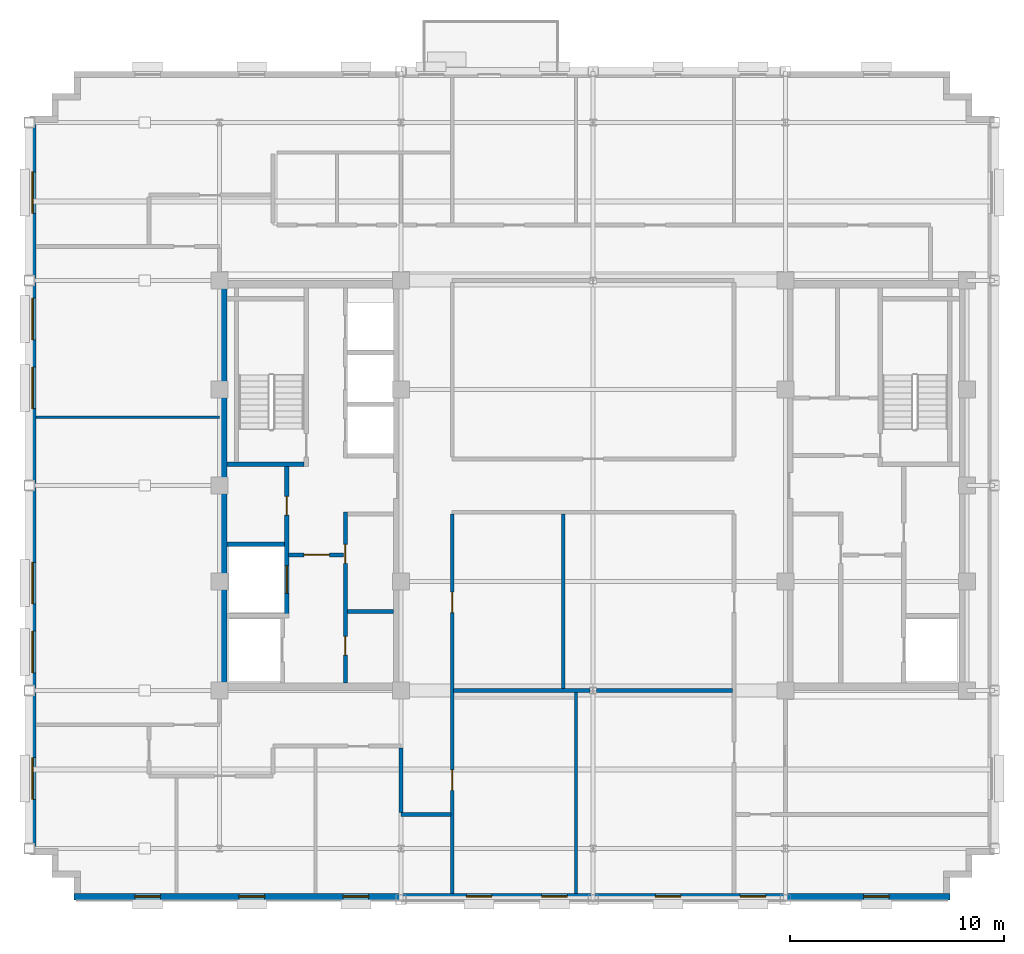
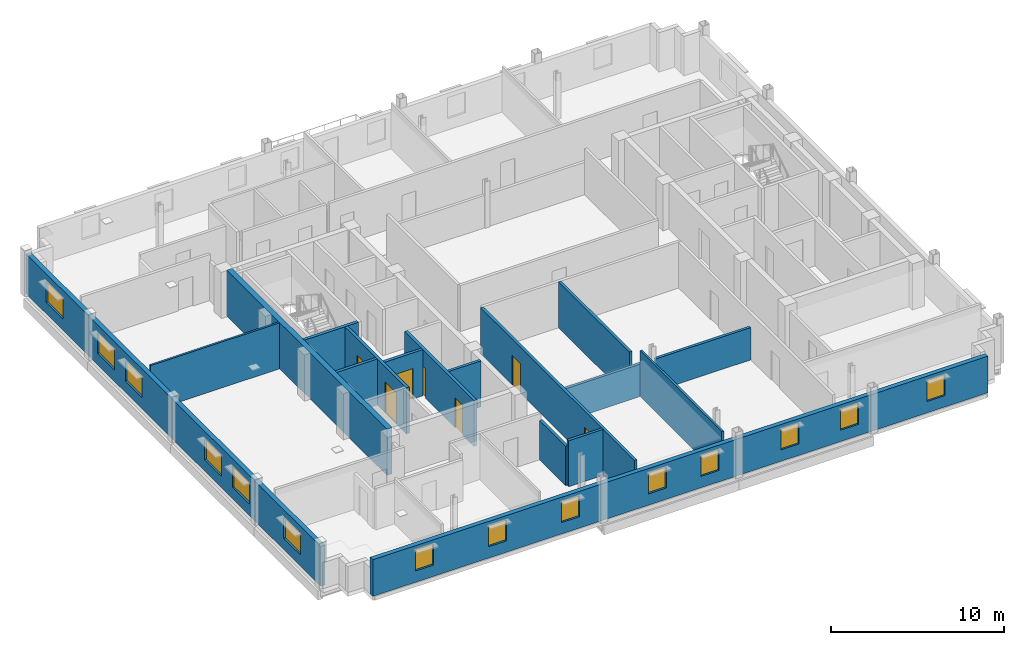
# One storey, part 6 of 14: 17 walls, 14 windows, 7 doors, 21 openings.
"""IFC4 building model written with IfcOpenShell, lengths in metres."""

from ifc_helpers import new_model, si_unit, direction, frame, frame_2d, origin, place, context, subcontext, project, spatial, rectangle, extrude, source, transform, mapped, material, layer, layer_set, type_object, type_shapes, element, fill, save


model = new_model("IFC4")

# Units and contexts
model_context = context("Model", 3, precision=1e-05, world=origin(), true_north=direction((0.0, 1.0)))
body_context = subcontext(model_context, "Body", "Model", "MODEL_VIEW")
ifc_project = project(units=[si_unit("LENGTHUNIT", "METRE"), si_unit("AREAUNIT", "SQUARE_METRE"), si_unit("VOLUMEUNIT", "CUBIC_METRE"), si_unit("PLANEANGLEUNIT", "RADIAN"), si_unit("MASSUNIT", "GRAM", prefix="KILO")], contexts=[model_context])

# Site, building, storey
site_placement = place(None, origin())
site = spatial("IfcSite", under=ifc_project, at=site_placement, CompositionType="ELEMENT")
building_placement = place(site_placement, origin())
building = spatial("IfcBuilding", under=site, at=building_placement, Name="Nuvemarco Arch Tower", CompositionType="ELEMENT")
storey_placement = place(building_placement, frame((0.0, 0.0, 242.0)))
storey = spatial("IfcBuildingStorey", under=building, at=storey_placement, Name="L64", CompositionType="ELEMENT", Elevation=242.0)

# Wall, openings, windows
ifc_material_1 = material(Name="Precast concrete C45/55", Category="concrete")
ifc_layer_1 = layer(ifc_material_1, 0.300048828125, Name="EW-HIGH-300")
ifc_layer_set_1 = layer_set([ifc_layer_1], Name="Precast concrete C45/55")
wall_type_1 = type_object("IfcWallType", Name="EW-HIGH-300", PredefinedType="STANDARD", material=ifc_layer_set_1)
wall_1_placement = place(storey_placement, frame((-24.300048828125, -19.25, 0.0), z_axis=(0.0, 0.0, 1.0), x_axis=(1.0, 0.0, 0.0)))
wall_1 = element("IfcWall", 1, at=wall_1_placement, inside=storey, type_object=wall_type_1, Name="L64 exterior precast facade wall 1", PredefinedType="STANDARD", context=body_context, shape_type="SweptSolid", body=[
    extrude(rectangle(XDim=41.0, YDim=0.300048828125, at=frame_2d((20.5, 0.0))), origin(), (0.0, 0.0, 1.0), 2.5849609375),
])
opening_1_placement = place(wall_1_placement, frame((2.83740234375, 0.0, 0.800048828125)))
opening_1 = element("IfcOpeningElement", 2, at=opening_1_placement, cuts=wall_1, Name="Opening WN-8", PredefinedType="OPENING", context=body_context, shape_type="SweptSolid", body=[
    extrude(rectangle(XDim=1.199951171875, YDim=1.47998046875, at=frame_2d((0.60009765625, 0.739990234375))), frame((0.0, 0.159912109375, 0.0), z_axis=(0.0, -1.0, 0.0), x_axis=(1.0, 0.0, 0.0)), (0.0, 0.0, 1.0), 0.320068359375),
])
opening_2_placement = place(wall_1_placement, frame((7.71240234375, 0.0, 0.800048828125)))
opening_2 = element("IfcOpeningElement", 3, at=opening_2_placement, cuts=wall_1, Name="Opening WN-8", PredefinedType="OPENING", context=body_context, shape_type="SweptSolid", body=[
    extrude(rectangle(XDim=1.199951171875, YDim=1.47998046875, at=frame_2d((0.60009765625, 0.739990234375))), frame((0.0, 0.159912109375, 0.0), z_axis=(0.0, -1.0, 0.0), x_axis=(1.0, 0.0, 0.0)), (0.0, 0.0, 1.0), 0.320068359375),
])
opening_3_placement = place(wall_1_placement, frame((12.58740234375, 0.0, 0.800048828125)))
opening_3 = element("IfcOpeningElement", 4, at=opening_3_placement, cuts=wall_1, Name="Opening WN-8", PredefinedType="OPENING", context=body_context, shape_type="SweptSolid", body=[
    extrude(rectangle(XDim=1.199951171875, YDim=1.47998046875, at=frame_2d((0.60009765625, 0.739990234375))), frame((0.0, 0.159912109375, 0.0), z_axis=(0.0, -1.0, 0.0), x_axis=(1.0, 0.0, 0.0)), (0.0, 0.0, 1.0), 0.320068359375),
])
opening_4_placement = place(wall_1_placement, frame((18.362548828125, 0.0, 0.800048828125)))
opening_4 = element("IfcOpeningElement", 5, at=opening_4_placement, cuts=wall_1, Name="Opening WN-8", PredefinedType="OPENING", context=body_context, shape_type="SweptSolid", body=[
    extrude(rectangle(XDim=1.199951171875, YDim=1.47998046875, at=frame_2d((0.60009765625, 0.739990234375))), frame((0.0, 0.159912109375, 0.0), z_axis=(0.0, -1.0, 0.0), x_axis=(1.0, 0.0, 0.0)), (0.0, 0.0, 1.0), 0.320068359375),
])
opening_5_placement = place(wall_1_placement, frame((21.887451171875, 0.0, 0.800048828125)))
opening_5 = element("IfcOpeningElement", 6, at=opening_5_placement, cuts=wall_1, Name="Opening WN-8", PredefinedType="OPENING", context=body_context, shape_type="SweptSolid", body=[
    extrude(rectangle(XDim=1.199951171875, YDim=1.47998046875, at=frame_2d((0.60009765625, 0.739990234375))), frame((0.0, 0.159912109375, 0.0), z_axis=(0.0, -1.0, 0.0), x_axis=(1.0, 0.0, 0.0)), (0.0, 0.0, 1.0), 0.320068359375),
])
opening_6_placement = place(wall_1_placement, frame((27.21240234375, 0.0, 0.800048828125)))
opening_6 = element("IfcOpeningElement", 7, at=opening_6_placement, cuts=wall_1, Name="Opening WN-8", PredefinedType="OPENING", context=body_context, shape_type="SweptSolid", body=[
    extrude(rectangle(XDim=1.199951171875, YDim=1.47998046875, at=frame_2d((0.60009765625, 0.739990234375))), frame((0.0, 0.159912109375, 0.0), z_axis=(0.0, -1.0, 0.0), x_axis=(1.0, 0.0, 0.0)), (0.0, 0.0, 1.0), 0.320068359375),
])
opening_7_placement = place(wall_1_placement, frame((31.1875, 0.0, 0.800048828125)))
opening_7 = element("IfcOpeningElement", 8, at=opening_7_placement, cuts=wall_1, Name="Opening WN-8", PredefinedType="OPENING", context=body_context, shape_type="SweptSolid", body=[
    extrude(rectangle(XDim=1.199951171875, YDim=1.47998046875, at=frame_2d((0.60009765625, 0.739990234375))), frame((0.0, 0.159912109375, 0.0), z_axis=(0.0, -1.0, 0.0), x_axis=(1.0, 0.0, 0.0)), (0.0, 0.0, 1.0), 0.320068359375),
])
opening_8_placement = place(wall_1_placement, frame((36.96240234375, 0.0, 0.800048828125)))
opening_8 = element("IfcOpeningElement", 9, at=opening_8_placement, cuts=wall_1, Name="Opening WN-8", PredefinedType="OPENING", context=body_context, shape_type="SweptSolid", body=[
    extrude(rectangle(XDim=1.199951171875, YDim=1.47998046875, at=frame_2d((0.60009765625, 0.739990234375))), frame((0.0, 0.159912109375, 0.0), z_axis=(0.0, -1.0, 0.0), x_axis=(1.0, 0.0, 0.0)), (0.0, 0.0, 1.0), 0.320068359375),
])
ifc_material_2 = material(Name="Insulated solar-control glass", Category="glass")
window_type_1 = type_object("IfcWindowType", Name="WN-HIGH-1200x1480", PartitioningType="SINGLE_PANEL", PredefinedType="WINDOW", material=ifc_material_2)
shared_shape_1 = source(origin(), body_context, "Body", "SweptSolid", [
    extrude(rectangle(XDim=1.199951171875, YDim=1.47998046875, at=frame_2d((0.60009765625, 0.739990234375))), frame((0.0, 0.030029296875, 0.0), z_axis=(0.0, -1.0, 0.0), x_axis=(1.0, 0.0, 0.0)), (0.0, 0.0, 1.0), 0.06005859375),
])
type_shapes(window_type_1, [shared_shape_1])
window_1_placement = place(opening_1_placement, origin())
window_1 = element("IfcWindow", 10, at=window_1_placement, inside=storey, type_object=window_type_1, Name="L64 punched facade window 1", OverallHeight=1.47998046875, OverallWidth=1.199951171875, PartitioningType="SINGLE_PANEL", PredefinedType="WINDOW", context=body_context, shape_type="MappedRepresentation", body=[
    mapped(shared_shape_1, transform((0.0, 0.0, 0.0), scale=1.0)),
])
fill(opening_1, window_1)
window_2_placement = place(opening_2_placement, origin())
window_2 = element("IfcWindow", 11, at=window_2_placement, inside=storey, type_object=window_type_1, Name="L64 punched facade window 2", OverallHeight=1.47998046875, OverallWidth=1.199951171875, PartitioningType="SINGLE_PANEL", PredefinedType="WINDOW", context=body_context, shape_type="MappedRepresentation", body=[
    mapped(shared_shape_1, transform((0.0, 0.0, 0.0), scale=1.0)),
])
fill(opening_2, window_2)
window_3_placement = place(opening_3_placement, origin())
window_3 = element("IfcWindow", 12, at=window_3_placement, inside=storey, type_object=window_type_1, Name="L64 punched facade window 3", OverallHeight=1.47998046875, OverallWidth=1.199951171875, PartitioningType="SINGLE_PANEL", PredefinedType="WINDOW", context=body_context, shape_type="MappedRepresentation", body=[
    mapped(shared_shape_1, transform((0.0, 0.0, 0.0), scale=1.0)),
])
fill(opening_3, window_3)
window_4_placement = place(opening_4_placement, origin())
window_4 = element("IfcWindow", 13, at=window_4_placement, inside=storey, type_object=window_type_1, Name="L64 punched facade window 4", OverallHeight=1.47998046875, OverallWidth=1.199951171875, PartitioningType="SINGLE_PANEL", PredefinedType="WINDOW", context=body_context, shape_type="MappedRepresentation", body=[
    mapped(shared_shape_1, transform((0.0, 0.0, 0.0), scale=1.0)),
])
fill(opening_4, window_4)
window_5_placement = place(opening_5_placement, origin())
window_5 = element("IfcWindow", 14, at=window_5_placement, inside=storey, type_object=window_type_1, Name="L64 punched facade window 5", OverallHeight=1.47998046875, OverallWidth=1.199951171875, PartitioningType="SINGLE_PANEL", PredefinedType="WINDOW", context=body_context, shape_type="MappedRepresentation", body=[
    mapped(shared_shape_1, transform((0.0, 0.0, 0.0), scale=1.0)),
])
fill(opening_5, window_5)
window_6_placement = place(opening_6_placement, origin())
window_6 = element("IfcWindow", 15, at=window_6_placement, inside=storey, type_object=window_type_1, Name="L64 punched facade window 6", OverallHeight=1.47998046875, OverallWidth=1.199951171875, PartitioningType="SINGLE_PANEL", PredefinedType="WINDOW", context=body_context, shape_type="MappedRepresentation", body=[
    mapped(shared_shape_1, transform((0.0, 0.0, 0.0), scale=1.0)),
])
fill(opening_6, window_6)
window_7_placement = place(opening_7_placement, origin())
window_7 = element("IfcWindow", 16, at=window_7_placement, inside=storey, type_object=window_type_1, Name="L64 punched facade window 7", OverallHeight=1.47998046875, OverallWidth=1.199951171875, PartitioningType="SINGLE_PANEL", PredefinedType="WINDOW", context=body_context, shape_type="MappedRepresentation", body=[
    mapped(shared_shape_1, transform((0.0, 0.0, 0.0), scale=1.0)),
])
fill(opening_7, window_7)
window_8_placement = place(opening_8_placement, origin())
window_8 = element("IfcWindow", 17, at=window_8_placement, inside=storey, type_object=window_type_1, Name="L64 punched facade window 8", OverallHeight=1.47998046875, OverallWidth=1.199951171875, PartitioningType="SINGLE_PANEL", PredefinedType="WINDOW", context=body_context, shape_type="MappedRepresentation", body=[
    mapped(shared_shape_1, transform((0.0, 0.0, 0.0), scale=1.0)),
])
fill(opening_8, window_8)

wall_2_placement = place(storey_placement, frame((-26.25, -17.00390625, 0.0), z_axis=(0.0, 0.0, 1.0), x_axis=(0.0, 1.0, 0.0)))
wall_2 = element("IfcWall", 18, at=wall_2_placement, inside=storey, type_object=wall_type_1, Name="L64 exterior precast facade wall 16", PredefinedType="STANDARD", context=body_context, shape_type="SweptSolid", body=[
    extrude(rectangle(XDim=34.0078125, YDim=0.300048828125, at=frame_2d((17.00390625, 0.0))), origin(), (0.0, 0.0, 1.0), 2.81201171875),
])
opening_9_placement = place(wall_2_placement, frame((2.311279296875, 0.0, 0.800048828125)))
opening_9 = element("IfcOpeningElement", 19, at=opening_9_placement, cuts=wall_2, Name="Opening WN-7", PredefinedType="OPENING", context=body_context, shape_type="SweptSolid", body=[
    extrude(rectangle(XDim=1.949951171875, YDim=1.47998046875, at=frame_2d((0.97509765625, 0.739990234375))), frame((0.0, 0.159912109375, 0.0), z_axis=(0.0, -1.0, 0.0), x_axis=(1.0, 0.0, 0.0)), (0.0, 0.0, 1.0), 0.320068359375),
])
opening_10_placement = place(wall_2_placement, frame((8.23388671875, 0.0, 0.800048828125)))
opening_10 = element("IfcOpeningElement", 20, at=opening_10_placement, cuts=wall_2, Name="Opening WN-7", PredefinedType="OPENING", context=body_context, shape_type="SweptSolid", body=[
    extrude(rectangle(XDim=1.949951171875, YDim=1.47998046875, at=frame_2d((0.97509765625, 0.739990234375))), frame((0.0, 0.159912109375, 0.0), z_axis=(0.0, -1.0, 0.0), x_axis=(1.0, 0.0, 0.0)), (0.0, 0.0, 1.0), 0.320068359375),
])
opening_11_placement = place(wall_2_placement, frame((11.456298828125, 0.0, 0.800048828125)))
opening_11 = element("IfcOpeningElement", 21, at=opening_11_placement, cuts=wall_2, Name="Opening WN-7", PredefinedType="OPENING", context=body_context, shape_type="SweptSolid", body=[
    extrude(rectangle(XDim=1.949951171875, YDim=1.47998046875, at=frame_2d((0.97509765625, 0.739990234375))), frame((0.0, 0.159912109375, 0.0), z_axis=(0.0, -1.0, 0.0), x_axis=(1.0, 0.0, 0.0)), (0.0, 0.0, 1.0), 0.320068359375),
])
opening_12_placement = place(wall_2_placement, frame((20.6015625, 0.0, 0.800048828125)))
opening_12 = element("IfcOpeningElement", 22, at=opening_12_placement, cuts=wall_2, Name="Opening WN-7", PredefinedType="OPENING", context=body_context, shape_type="SweptSolid", body=[
    extrude(rectangle(XDim=1.949951171875, YDim=1.47998046875, at=frame_2d((0.97509765625, 0.739990234375))), frame((0.0, 0.159912109375, 0.0), z_axis=(0.0, -1.0, 0.0), x_axis=(1.0, 0.0, 0.0)), (0.0, 0.0, 1.0), 0.320068359375),
])
opening_13_placement = place(wall_2_placement, frame((23.82421875, 0.0, 0.800048828125)))
opening_13 = element("IfcOpeningElement", 23, at=opening_13_placement, cuts=wall_2, Name="Opening WN-7", PredefinedType="OPENING", context=body_context, shape_type="SweptSolid", body=[
    extrude(rectangle(XDim=1.949951171875, YDim=1.47998046875, at=frame_2d((0.97509765625, 0.739990234375))), frame((0.0, 0.159912109375, 0.0), z_axis=(0.0, -1.0, 0.0), x_axis=(1.0, 0.0, 0.0)), (0.0, 0.0, 1.0), 0.320068359375),
])
opening_14_placement = place(wall_2_placement, frame((29.74658203125, 0.0, 0.800048828125)))
opening_14 = element("IfcOpeningElement", 24, at=opening_14_placement, cuts=wall_2, Name="Opening WN-7", PredefinedType="OPENING", context=body_context, shape_type="SweptSolid", body=[
    extrude(rectangle(XDim=1.949951171875, YDim=1.47998046875, at=frame_2d((0.97509765625, 0.739990234375))), frame((0.0, 0.159912109375, 0.0), z_axis=(0.0, -1.0, 0.0), x_axis=(1.0, 0.0, 0.0)), (0.0, 0.0, 1.0), 0.320068359375),
])
window_type_2 = type_object("IfcWindowType", Name="WN-HIGH-1950x1480", PartitioningType="DOUBLE_PANEL_VERTICAL", PredefinedType="WINDOW", material=ifc_material_2)
shared_shape_2 = source(origin(), body_context, "Body", "SweptSolid", [
    extrude(rectangle(XDim=1.949951171875, YDim=1.47998046875, at=frame_2d((0.97509765625, 0.739990234375))), frame((0.0, 0.030029296875, 0.0), z_axis=(0.0, -1.0, 0.0), x_axis=(1.0, 0.0, 0.0)), (0.0, 0.0, 1.0), 0.06005859375),
])
type_shapes(window_type_2, [shared_shape_2])
window_9_placement = place(opening_9_placement, origin())
window_9 = element("IfcWindow", 25, at=window_9_placement, inside=storey, type_object=window_type_2, Name="L64 punched facade window 1", OverallHeight=1.47998046875, OverallWidth=1.949951171875, PartitioningType="SINGLE_PANEL", PredefinedType="WINDOW", context=body_context, shape_type="MappedRepresentation", body=[
    mapped(shared_shape_2, transform((0.0, 0.0, 0.0), scale=1.0)),
])
fill(opening_9, window_9)
window_10_placement = place(opening_10_placement, origin())
window_10 = element("IfcWindow", 26, at=window_10_placement, inside=storey, type_object=window_type_2, Name="L64 punched facade window 2", OverallHeight=1.47998046875, OverallWidth=1.949951171875, PartitioningType="SINGLE_PANEL", PredefinedType="WINDOW", context=body_context, shape_type="MappedRepresentation", body=[
    mapped(shared_shape_2, transform((0.0, 0.0, 0.0), scale=1.0)),
])
fill(opening_10, window_10)
window_11_placement = place(opening_11_placement, origin())
window_11 = element("IfcWindow", 27, at=window_11_placement, inside=storey, type_object=window_type_2, Name="L64 punched facade window 3", OverallHeight=1.47998046875, OverallWidth=1.949951171875, PartitioningType="SINGLE_PANEL", PredefinedType="WINDOW", context=body_context, shape_type="MappedRepresentation", body=[
    mapped(shared_shape_2, transform((0.0, 0.0, 0.0), scale=1.0)),
])
fill(opening_11, window_11)
window_12_placement = place(opening_12_placement, origin())
window_12 = element("IfcWindow", 28, at=window_12_placement, inside=storey, type_object=window_type_2, Name="L64 punched facade window 5", OverallHeight=1.47998046875, OverallWidth=1.949951171875, PartitioningType="SINGLE_PANEL", PredefinedType="WINDOW", context=body_context, shape_type="MappedRepresentation", body=[
    mapped(shared_shape_2, transform((0.0, 0.0, 0.0), scale=1.0)),
])
fill(opening_12, window_12)
window_13_placement = place(opening_13_placement, origin())
window_13 = element("IfcWindow", 29, at=window_13_placement, inside=storey, type_object=window_type_2, Name="L64 punched facade window 6", OverallHeight=1.47998046875, OverallWidth=1.949951171875, PartitioningType="SINGLE_PANEL", PredefinedType="WINDOW", context=body_context, shape_type="MappedRepresentation", body=[
    mapped(shared_shape_2, transform((0.0, 0.0, 0.0), scale=1.0)),
])
fill(opening_13, window_13)
window_14_placement = place(opening_14_placement, origin())
window_14 = element("IfcWindow", 30, at=window_14_placement, inside=storey, type_object=window_type_2, Name="L64 punched facade window 7", OverallHeight=1.47998046875, OverallWidth=1.949951171875, PartitioningType="SINGLE_PANEL", PredefinedType="WINDOW", context=body_context, shape_type="MappedRepresentation", body=[
    mapped(shared_shape_2, transform((0.0, 0.0, 0.0), scale=1.0)),
])
fill(opening_14, window_14)

# Walls
ifc_material_3 = material(Name="Concrete C50/60", Category="concrete")
ifc_layer_2 = layer(ifc_material_3, 0.35009765625, Name="WL-CORE-350")
ifc_layer_set_2 = layer_set([ifc_layer_2], Name="Concrete C50/60")
wall_type_2 = type_object("IfcWallType", Name="WL-CORE-350", PredefinedType="SHEAR", material=ifc_layer_set_2)
wall_3_placement = place(storey_placement, frame((-17.324951171875, -9.2548828125, 0.0), z_axis=(0.0, 0.0, 1.0), x_axis=(0.0, 1.0, 0.0)))
element("IfcWall", 31, at=wall_3_placement, inside=storey, type_object=wall_type_2, Name="L64 W-core shear wall W", PredefinedType="SHEAR", context=body_context, shape_type="SweptSolid", body=[
    extrude(rectangle(XDim=18.509765625, YDim=0.35009765625, at=frame_2d((9.2548828125, 0.0))), origin(), (0.0, 0.0, 1.0), 3.25),
])
ifc_material_4 = material(Name="Fire-rated gypsum drywall partition")
ifc_layer_3 = layer(ifc_material_4, 0.179931640625, Name="WL-CORR-180")
ifc_layer_set_3 = layer_set([ifc_layer_3], Name="Fire-rated gypsum drywall partition")
wall_type_3 = type_object("IfcWallType", Name="WL-CORR-180", PredefinedType="PARTITIONING", material=ifc_layer_set_3)
wall_4_placement = place(storey_placement, frame((-11.5048828125, -5.89990234375, 0.0), z_axis=(0.0, 0.0, 1.0), x_axis=(1.0, 0.0, 0.0)))
element("IfcWall", 32, at=wall_4_placement, inside=storey, type_object=wall_type_3, Name="L64 interior wall IW-L64-W-RECK3", PredefinedType="PARTITIONING", context=body_context, shape_type="SweptSolid", body=[
    extrude(rectangle(XDim=2.159912109375, YDim=0.179931640625, at=frame_2d((1.080078125, 0.0))), origin(), (0.0, 0.0, 1.0), 3.239990234375),
])
wall_5_placement = place(storey_placement, frame((-9.0, -15.39990234375, 0.0), z_axis=(0.0, 0.0, 1.0), x_axis=(1.0, 0.0, 0.0)))
element("IfcWall", 33, at=wall_5_placement, inside=storey, type_object=wall_type_3, Name="L64 interior wall IW-L64-001", PredefinedType="PARTITIONING", context=body_context, shape_type="SweptSolid", body=[
    extrude(rectangle(XDim=2.339111328125, YDim=0.179931640625, at=frame_2d((1.16943359375, 0.0))), origin(), (0.0, 0.0, 1.0), 3.239990234375),
])
wall_6_placement = place(storey_placement, frame((-6.5390625, -9.60009765625, 0.0), z_axis=(0.0, 0.0, 1.0), x_axis=(1.0, 0.0, 0.0)))
element("IfcWall", 34, at=wall_6_placement, inside=storey, type_object=wall_type_3, Name="L64 interior wall IW-L64-006", PredefinedType="PARTITIONING", context=body_context, shape_type="SweptSolid", body=[
    extrude(rectangle(XDim=6.38818359375, YDim=0.179931640625, at=frame_2d((3.194091796875, 0.0))), origin(), (0.0, 0.0, 1.0), 2.284912109375),
])
wall_7_placement = place(storey_placement, frame((0.15087890625, -9.60009765625, 0.0), z_axis=(0.0, 0.0, 1.0), x_axis=(1.0, 0.0, 0.0)))
element("IfcWall", 35, at=wall_7_placement, inside=storey, type_object=wall_type_3, Name="L64 interior wall IW-L64-007", PredefinedType="PARTITIONING", context=body_context, shape_type="SweptSolid", body=[
    extrude(rectangle(XDim=6.383056640625, YDim=0.179931640625, at=frame_2d((3.19140625, 0.0))), origin(), (0.0, 0.0, 1.0), 2.284912109375),
])
wall_8_placement = place(storey_placement, frame((-9.0, -15.31396484375, 0.0), z_axis=(0.0, 0.0, 1.0), x_axis=(0.0, 1.0, 0.0)))
element("IfcWall", 36, at=wall_8_placement, inside=storey, type_object=wall_type_3, Name="L64 interior wall IW-L64-027", PredefinedType="PARTITIONING", context=body_context, shape_type="SweptSolid", body=[
    extrude(rectangle(XDim=3.028076171875, YDim=0.179931640625, at=frame_2d((1.51416015625, 0.0))), origin(), (0.0, 0.0, 1.0), 2.77197265625),
])

# Wall, openings, doors
wall_9_placement = place(storey_placement, frame((-6.60009765625, -19.10009765625, 0.0), z_axis=(0.0, 0.0, 1.0), x_axis=(0.0, 1.0, 0.0)))
wall_9 = element("IfcWall", 37, at=wall_9_placement, inside=storey, type_object=wall_type_3, Name="L64 interior wall IW-L64-029", PredefinedType="PARTITIONING", context=body_context, shape_type="SweptSolid", body=[
    extrude(rectangle(XDim=17.76416015625, YDim=0.179931640625, at=frame_2d((8.882080078125, 0.0))), origin(), (0.0, 0.0, 1.0), 3.239990234375),
])
opening_15_placement = place(wall_9_placement, frame((13.152099609375, 0.0, 0.0)))
opening_15 = element("IfcOpeningElement", 38, at=opening_15_placement, cuts=wall_9, Name="Opening FD-5", PredefinedType="OPENING", context=body_context, shape_type="SweptSolid", body=[
    extrude(rectangle(XDim=0.9599609375, YDim=2.10009765625, at=frame_2d((0.47998046875, 1.050048828125))), frame((0.0, 0.099853515625, 0.0), z_axis=(0.0, -1.0, 0.0), x_axis=(1.0, 0.0, 0.0)), (0.0, 0.0, 1.0), 0.199951171875),
])
opening_16_placement = place(wall_9_placement, frame((4.820068359375, 0.0, 0.0)))
opening_16 = element("IfcOpeningElement", 39, at=opening_16_placement, cuts=wall_9, Name="Opening FD-5", PredefinedType="OPENING", context=body_context, shape_type="SweptSolid", body=[
    extrude(rectangle(XDim=0.9599609375, YDim=2.10009765625, at=frame_2d((0.47998046875, 1.050048828125))), frame((0.0, 0.099853515625, 0.0), z_axis=(0.0, -1.0, 0.0), x_axis=(1.0, 0.0, 0.0)), (0.0, 0.0, 1.0), 0.199951171875),
])
ifc_material_5 = material(Name="Timber fire door", Category="wood")
door_type_1 = type_object("IfcDoorType", Name="DR-CORR-FD", OperationType="NOTDEFINED", PredefinedType="DOOR", material=ifc_material_5)
shared_shape_3 = source(origin(), body_context, "Body", "SweptSolid", [
    extrude(rectangle(XDim=0.9599609375, YDim=2.10009765625, at=frame_2d((0.47998046875, 1.050048828125))), frame((0.0, 0.02490234375, 0.0), z_axis=(0.0, -1.0, 0.0), x_axis=(1.0, 0.0, 0.0)), (0.0, 0.0, 1.0), 0.050048828125),
])
type_shapes(door_type_1, [shared_shape_3])
door_1_placement = place(opening_15_placement, origin())
door_1 = element("IfcDoor", 40, at=door_1_placement, inside=storey, type_object=door_type_1, Name="L64 door DR-L64-C_S1", OperationType="SINGLE_SWING_RIGHT", OverallHeight=2.10009765625, OverallWidth=0.9599609375, PredefinedType="DOOR", context=body_context, shape_type="MappedRepresentation", body=[
    mapped(shared_shape_3, transform((0.0, 0.0, 0.0), scale=1.0)),
])
fill(opening_15, door_1)
door_2_placement = place(opening_16_placement, origin())
door_2 = element("IfcDoor", 41, at=door_2_placement, inside=storey, type_object=door_type_1, Name="L64 door DR-L64-S_4", OperationType="SINGLE_SWING_RIGHT", OverallHeight=2.10009765625, OverallWidth=0.9599609375, PredefinedType="DOOR", context=body_context, shape_type="MappedRepresentation", body=[
    mapped(shared_shape_3, transform((0.0, 0.0, 0.0), scale=1.0)),
])
fill(opening_16, door_2)

# Walls
wall_10_placement = place(storey_placement, frame((-1.39990234375, -9.513916015625, 0.0), z_axis=(0.0, 0.0, 1.0), x_axis=(0.0, 1.0, 0.0)))
element("IfcWall", 42, at=wall_10_placement, inside=storey, type_object=wall_type_3, Name="L64 interior wall IW-L64-032", PredefinedType="PARTITIONING", context=body_context, shape_type="SweptSolid", body=[
    extrude(rectangle(XDim=8.177978515625, YDim=0.179931640625, at=frame_2d((4.0888671875, 0.0))), origin(), (0.0, 0.0, 1.0), 3.239990234375),
])
ifc_material_6 = material(Name="Glazed acoustic office partition")
ifc_layer_4 = layer(ifc_material_6, 0.1298828125, Name="WL-EXEC-130")
ifc_layer_set_4 = layer_set([ifc_layer_4], Name="Glazed acoustic office partition")
wall_type_4 = type_object("IfcWallType", Name="WL-EXEC-130", PredefinedType="PARTITIONING", material=ifc_layer_set_4)
wall_11_placement = place(storey_placement, frame((-26.10009765625, 3.199951171875, 0.0), z_axis=(0.0, 0.0, 1.0), x_axis=(1.0, 0.0, 0.0)))
element("IfcWall", 43, at=wall_11_placement, inside=storey, type_object=wall_type_4, Name="L64 interior wall IW-L64-010", PredefinedType="PARTITIONING", context=body_context, shape_type="SweptSolid", body=[
    extrude(rectangle(XDim=8.60009765625, YDim=0.1298828125, at=frame_2d((4.300048828125, 0.0))), origin(), (0.0, 0.0, 1.0), 3.239990234375),
])
ifc_material_7 = material(Name="Gypsum plasterboard partition")
ifc_layer_5 = layer(ifc_material_7, 0.139892578125, Name="WL-ROOM-140")
ifc_layer_set_5 = layer_set([ifc_layer_5], Name="Gypsum plasterboard partition")
wall_type_5 = type_object("IfcWallType", Name="WL-ROOM-140", PredefinedType="PARTITIONING", material=ifc_layer_set_5)
wall_12_placement = place(storey_placement, frame((-0.800048828125, -19.10009765625, 0.0), z_axis=(0.0, 0.0, 1.0), x_axis=(0.0, 1.0, 0.0)))
element("IfcWall", 44, at=wall_12_placement, inside=storey, type_object=wall_type_5, Name="L64 interior wall IW-L64-033", PredefinedType="PARTITIONING", context=body_context, shape_type="SweptSolid", body=[
    extrude(rectangle(XDim=9.4140625, YDim=0.139892578125, at=frame_2d((4.70703125, 0.0))), origin(), (0.0, 0.0, 1.0), 3.239990234375),
])
ifc_layer_6 = layer(ifc_material_3, 0.199951171875, Name="WL-SHAFT-220")
ifc_layer_set_6 = layer_set([ifc_layer_6], Name="Concrete C50/60")
wall_type_6 = type_object("IfcWallType", Name="WL-SHAFT-220", PredefinedType="SHEAR", material=ifc_layer_set_6)
wall_13_placement = place(storey_placement, frame((-17.155029296875, 1.0, 0.0), z_axis=(0.0, 0.0, 1.0), x_axis=(1.0, 0.0, 0.0)))
element("IfcWall", 45, at=wall_13_placement, inside=storey, type_object=wall_type_6, Name="L64 structural shaft wall SW-L64-W-ST1S", PredefinedType="SHEAR", context=body_context, shape_type="SweptSolid", body=[
    extrude(rectangle(XDim=3.6201171875, YDim=0.199951171875, at=frame_2d((1.81005859375, 0.0))), origin(), (0.0, 0.0, 1.0), 3.25),
])

# Wall, openings, doors
wall_14_placement = place(storey_placement, frame((-14.35009765625, -6.199951171875, 0.0), z_axis=(0.0, 0.0, 1.0), x_axis=(0.0, 1.0, 0.0)))
wall_14 = element("IfcWall", 46, at=wall_14_placement, inside=storey, type_object=wall_type_6, Name="L64 structural shaft wall SW-L64-W-SVE", PredefinedType="SHEAR", context=body_context, shape_type="SweptSolid", body=[
    extrude(rectangle(XDim=7.10498046875, YDim=0.199951171875, at=frame_2d((3.552490234375, 0.0))), origin(), (0.0, 0.0, 1.0), 3.25),
])
opening_17_placement = place(wall_14_placement, frame((5.68994140625, 0.0, 0.0), z_axis=(0.0, 0.0, 1.0), x_axis=(-1.0, 0.0, 0.0)))
opening_17 = element("IfcOpeningElement", 47, at=opening_17_placement, cuts=wall_14, Name="Opening FD-4", PredefinedType="OPENING", context=body_context, shape_type="SweptSolid", body=[
    extrude(rectangle(XDim=0.8798828125, YDim=2.10009765625, at=frame_2d((0.43994140625, 1.050048828125))), frame((0.0, 0.10986328125, 0.0), z_axis=(0.0, -1.0, 0.0), x_axis=(1.0, 0.0, 0.0)), (0.0, 0.0, 1.0), 0.219970703125),
])
opening_18_placement = place(wall_14_placement, frame((1.14990234375, 0.0, 0.0)))
opening_18 = element("IfcOpeningElement", 48, at=opening_18_placement, cuts=wall_14, Name="Opening LD-3", PredefinedType="OPENING", context=body_context, shape_type="SweptSolid", body=[
    extrude(rectangle(XDim=1.300048828125, YDim=2.199951171875, at=frame_2d((0.64990234375, 1.10009765625))), frame((0.0, 0.10986328125, 0.0), z_axis=(0.0, -1.0, 0.0), x_axis=(1.0, 0.0, 0.0)), (0.0, 0.0, 1.0), 0.219970703125),
])
ifc_material_8 = material(Name="Anodised steel fire door", Category="steel")
door_type_2 = type_object("IfcDoorType", Name="DR-RISER-FD", OperationType="NOTDEFINED", PredefinedType="DOOR", material=ifc_material_8)
shared_shape_4 = source(origin(), body_context, "Body", "SweptSolid", [
    extrude(rectangle(XDim=0.8798828125, YDim=2.10009765625, at=frame_2d((0.43994140625, 1.050048828125))), frame((0.0, 0.02490234375, 0.0), z_axis=(0.0, -1.0, 0.0), x_axis=(1.0, 0.0, 0.0)), (0.0, 0.0, 1.0), 0.050048828125),
])
type_shapes(door_type_2, [shared_shape_4])
door_3_placement = place(opening_17_placement, origin())
door_3 = element("IfcDoor", 49, at=door_3_placement, inside=storey, type_object=door_type_2, Name="L64 door FD-L64-WRIS", OperationType="SINGLE_SWING_LEFT", OverallHeight=2.10009765625, OverallWidth=0.8798828125, PredefinedType="DOOR", context=body_context, shape_type="MappedRepresentation", body=[
    mapped(shared_shape_4, transform((0.0, 0.0, 0.0), scale=1.0)),
])
fill(opening_17, door_3)
ifc_material_9 = material(Name="Stainless steel lift door", Category="steel")
door_type_3 = type_object("IfcDoorType", Name="DR-LIFT-SERV", OperationType="DOUBLE_DOOR_SLIDING", PredefinedType="DOOR", material=ifc_material_9)
shared_shape_5 = source(origin(), body_context, "Body", "SweptSolid", [
    extrude(rectangle(XDim=1.300048828125, YDim=2.199951171875, at=frame_2d((0.64990234375, 1.10009765625))), frame((0.0, 0.02490234375, 0.0), z_axis=(0.0, -1.0, 0.0), x_axis=(1.0, 0.0, 0.0)), (0.0, 0.0, 1.0), 0.050048828125),
])
type_shapes(door_type_3, [shared_shape_5])
door_4_placement = place(opening_18_placement, origin())
door_4 = element("IfcDoor", 50, at=door_4_placement, inside=storey, type_object=door_type_3, Name="L64 Lift landing sliding door SVL-1", OperationType="DOUBLE_DOOR_SLIDING", OverallHeight=2.199951171875, OverallWidth=1.300048828125, PredefinedType="DOOR", context=body_context, shape_type="MappedRepresentation", body=[
    mapped(shared_shape_5, transform((0.0, 0.0, 0.0), scale=1.0)),
])
fill(opening_18, door_4)

# Wall
wall_15_placement = place(storey_placement, frame((-17.155029296875, -2.75, 0.0), z_axis=(0.0, 0.0, 1.0), x_axis=(1.0, 0.0, 0.0)))
element("IfcWall", 51, at=wall_15_placement, inside=storey, type_object=wall_type_6, Name="L64 structural shaft wall SW-L64-W-SH2", PredefinedType="SHEAR", context=body_context, shape_type="SweptSolid", body=[
    extrude(rectangle(XDim=2.7099609375, YDim=0.199951171875, at=frame_2d((1.35498046875, 0.0))), origin(), (0.0, 0.0, 1.0), 3.25),
])

# Wall, openings, doors
wall_16_placement = place(storey_placement, frame((-11.60009765625, -9.2548828125, 0.0), z_axis=(0.0, 0.0, 1.0), x_axis=(0.0, 1.0, 0.0)))
wall_16 = element("IfcWall", 52, at=wall_16_placement, inside=storey, type_object=wall_type_6, Name="L64 structural shaft wall SW-L64-W-PLW", PredefinedType="SHEAR", context=body_context, shape_type="SweptSolid", body=[
    extrude(rectangle(XDim=8.02490234375, YDim=0.199951171875, at=frame_2d((4.012451171875, 0.0))), origin(), (0.0, 0.0, 1.0), 3.25),
])
opening_19_placement = place(wall_16_placement, frame((1.31494140625, 0.0, 0.0)))
opening_19 = element("IfcOpeningElement", 53, at=opening_19_placement, cuts=wall_16, Name="Opening FD-4", PredefinedType="OPENING", context=body_context, shape_type="SweptSolid", body=[
    extrude(rectangle(XDim=0.8798828125, YDim=2.10009765625, at=frame_2d((0.43994140625, 1.050048828125))), frame((0.0, 0.10986328125, 0.0), z_axis=(0.0, -1.0, 0.0), x_axis=(1.0, 0.0, 0.0)), (0.0, 0.0, 1.0), 0.219970703125),
])
opening_20_placement = place(wall_16_placement, frame((5.614990234375, 0.0, 0.0)))
opening_20 = element("IfcOpeningElement", 54, at=opening_20_placement, cuts=wall_16, Name="Opening FD-4", PredefinedType="OPENING", context=body_context, shape_type="SweptSolid", body=[
    extrude(rectangle(XDim=0.8798828125, YDim=2.10009765625, at=frame_2d((0.43994140625, 1.050048828125))), frame((0.0, 0.10986328125, 0.0), z_axis=(0.0, -1.0, 0.0), x_axis=(1.0, 0.0, 0.0)), (0.0, 0.0, 1.0), 0.219970703125),
])
door_5_placement = place(opening_19_placement, origin())
door_5 = element("IfcDoor", 55, at=door_5_placement, inside=storey, type_object=door_type_2, Name="L64 door FD-L64-WREC1", OperationType="SINGLE_SWING_LEFT", OverallHeight=2.10009765625, OverallWidth=0.8798828125, PredefinedType="DOOR", context=body_context, shape_type="MappedRepresentation", body=[
    mapped(shared_shape_4, transform((0.0, 0.0, 0.0), scale=1.0)),
])
fill(opening_19, door_5)
door_6_placement = place(opening_20_placement, origin())
door_6 = element("IfcDoor", 56, at=door_6_placement, inside=storey, type_object=door_type_2, Name="L64 door FD-L64-WREC2", OperationType="SINGLE_SWING_RIGHT", OverallHeight=2.10009765625, OverallWidth=0.8798828125, PredefinedType="DOOR", context=body_context, shape_type="MappedRepresentation", body=[
    mapped(shared_shape_4, transform((0.0, 0.0, 0.0), scale=1.0)),
])
fill(opening_20, door_6)

# Wall, opening, door
wall_17_placement = place(storey_placement, frame((-14.2548828125, -3.25, 0.0), z_axis=(0.0, 0.0, 1.0), x_axis=(1.0, 0.0, 0.0)))
wall_17 = element("IfcWall", 57, at=wall_17_placement, inside=storey, type_object=wall_type_6, Name="L64 structural shaft wall SW-L64-W-FFN", PredefinedType="SHEAR", context=body_context, shape_type="SweptSolid", body=[
    extrude(rectangle(XDim=2.559814453125, YDim=0.199951171875, at=frame_2d((1.27978515625, 0.0))), origin(), (0.0, 0.0, 1.0), 3.25),
])
opening_21_placement = place(wall_17_placement, frame((0.705078125, 0.0, 0.0)))
opening_21 = element("IfcOpeningElement", 58, at=opening_21_placement, cuts=wall_17, Name="Opening FD-2", PredefinedType="OPENING", context=body_context, shape_type="SweptSolid", body=[
    extrude(rectangle(XDim=1.199951171875, YDim=2.14990234375, at=frame_2d((0.60009765625, 1.074951171875))), frame((0.0, 0.10986328125, 0.0), z_axis=(0.0, -1.0, 0.0), x_axis=(1.0, 0.0, 0.0)), (0.0, 0.0, 1.0), 0.219970703125),
])
door_type_4 = type_object("IfcDoorType", Name="DR-FFLOB-FD", OperationType="NOTDEFINED", PredefinedType="DOOR", material=ifc_material_8)
shared_shape_6 = source(origin(), body_context, "Body", "SweptSolid", [
    extrude(rectangle(XDim=1.199951171875, YDim=2.14990234375, at=frame_2d((0.60009765625, 1.074951171875))), frame((0.0, 0.02490234375, 0.0), z_axis=(0.0, -1.0, 0.0), x_axis=(1.0, 0.0, 0.0)), (0.0, 0.0, 1.0), 0.050048828125),
])
type_shapes(door_type_4, [shared_shape_6])
door_7_placement = place(opening_21_placement, origin())
door_7 = element("IfcDoor", 59, at=door_7_placement, inside=storey, type_object=door_type_4, Name="L64 door FD-L64-WFF1", OperationType="SINGLE_SWING_LEFT", OverallHeight=2.14990234375, OverallWidth=1.199951171875, PredefinedType="DOOR", context=body_context, shape_type="MappedRepresentation", body=[
    mapped(shared_shape_6, transform((0.0, 0.0, 0.0), scale=1.0)),
])
fill(opening_21, door_7)

save(model, "model.ifc")
